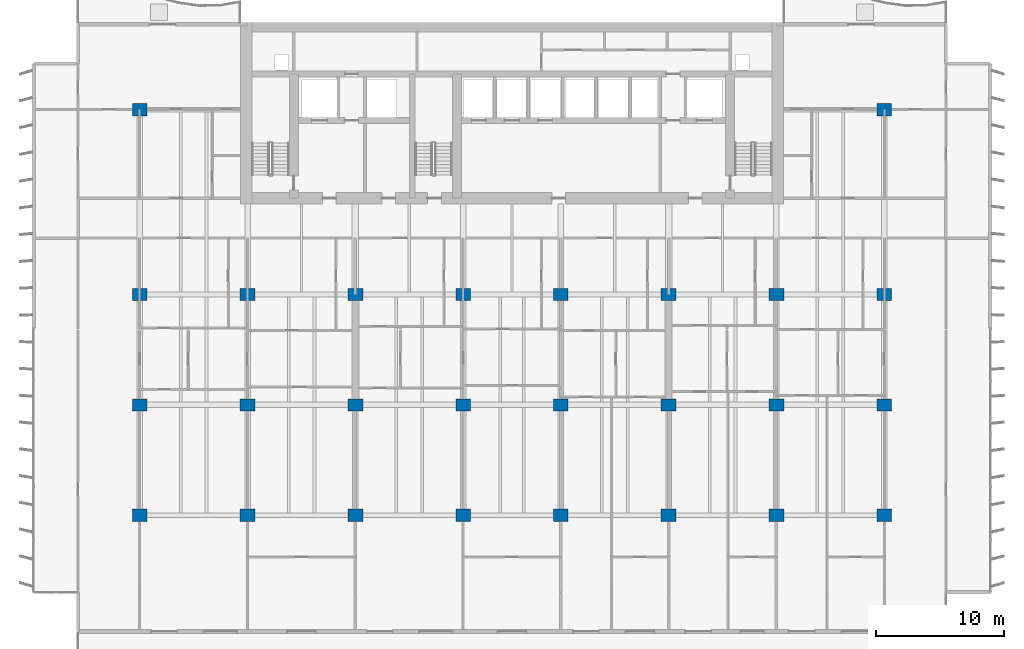
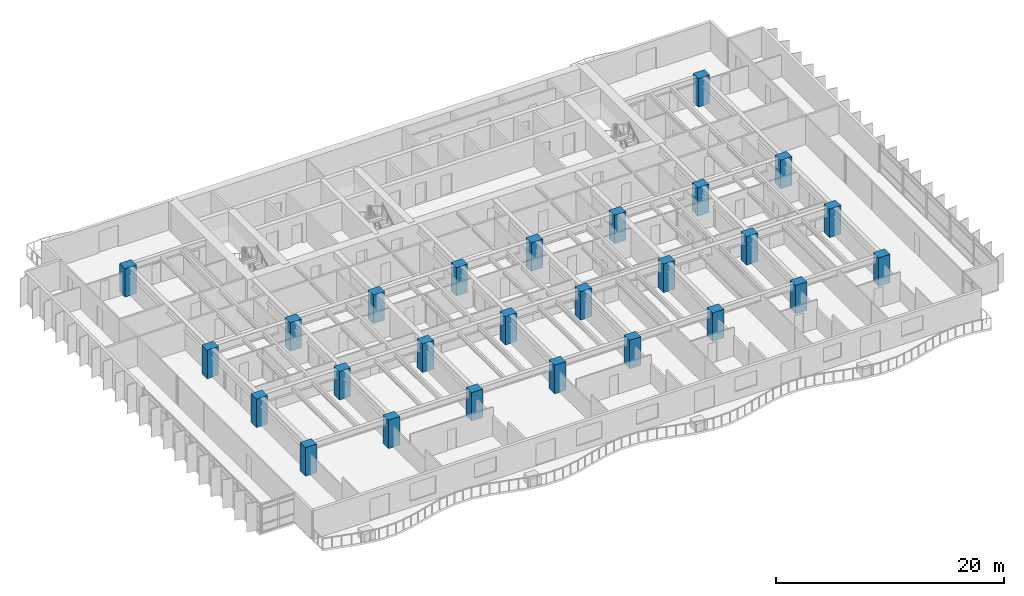
# One storey, part 1 of 17: 26 columns.
"""IFC4 building model written with IfcOpenShell, lengths in metres."""

from ifc_helpers import new_model, si_unit, direction, frame, origin, origin_2d, place, context, subcontext, project, spatial, rectangle, extrude, material, material_profile, profile_set, type_object, element, save


model = new_model("IFC4")

# Units and contexts
model_context = context("Model", 3, precision=1e-05, world=origin(), true_north=direction((0.0, 1.0)))
body_context = subcontext(model_context, "Body", "Model", "MODEL_VIEW")
ifc_project = project(units=[si_unit("LENGTHUNIT", "METRE"), si_unit("AREAUNIT", "SQUARE_METRE"), si_unit("VOLUMEUNIT", "CUBIC_METRE"), si_unit("PLANEANGLEUNIT", "RADIAN"), si_unit("MASSUNIT", "GRAM", prefix="KILO")], contexts=[model_context])

# Site, building, storey
site_placement = place(None, origin())
site = spatial("IfcSite", under=ifc_project, at=site_placement, CompositionType="ELEMENT")
building_placement = place(site_placement, origin())
building = spatial("IfcBuilding", under=site, at=building_placement, Name="Caelmar Bay Residences", CompositionType="ELEMENT")
storey_placement = place(building_placement, frame((0.0, 0.0, 59.699951171875)))
storey = spatial("IfcBuildingStorey", under=building, at=storey_placement, Name="L15", CompositionType="ELEMENT", Elevation=59.699951171875)

# Columns
ifc_material = material(Name="Concrete f'c 70 MPa (10,000 psi)", Category="concrete")
ifc_material_profile = material_profile(ifc_material, rectangle(XDim=1.14990234375, YDim=0.949951171875, at=origin_2d()), Name="RC-COL-1150X950")
ifc_profile_set = profile_set([ifc_material_profile], Name="Concrete f'c 70 MPa (10,000 psi)")
column_type = type_object("IfcColumnType", Name="COL-RC-1150X950", PredefinedType="COLUMN", material=ifc_profile_set)
for number, where, z_axis, x_axis, name in (
    (1, (9.89990234375, 12.199951171875, 0.0), (0.0, 0.0, 1.0), (1.0, 0.0, 0.0), "L15 Column (9.90,12.20)"),
    (2, (18.300048828125, 12.199951171875, 0.0), (0.0, 0.0, 1.0), (1.0, 0.0, 0.0), "L15 Column (18.30,12.20)"),
    (3, (26.699951171875, 12.199951171875, 0.0), (0.0, 0.0, 1.0), (1.0, 0.0, 0.0), "L15 Column (26.70,12.20)"),
    (4, (35.10009765625, 12.199951171875, 0.0), (0.0, 0.0, 1.0), (1.0, 0.0, 0.0), "L15 Column (35.10,12.20)"),
    (5, (42.699951171875, 12.199951171875, 0.0), (0.0, 0.0, 1.0), (1.0, 0.0, 0.0), "L15 Column (42.70,12.20)"),
    (6, (51.10009765625, 12.199951171875, 0.0), (0.0, 0.0, 1.0), (1.0, 0.0, 0.0), "L15 Column (51.10,12.20)"),
    (7, (59.5, 12.199951171875, 0.0), (0.0, 0.0, 1.0), (1.0, 0.0, 0.0), "L15 Column (59.50,12.20)"),
    (8, (67.89990234375, 12.199951171875, 0.0), (0.0, 0.0, 1.0), (1.0, 0.0, 0.0), "L15 Column (67.90,12.20)"),
    (9, (9.89990234375, 20.800048828125, 0.0), (0.0, 0.0, 1.0), (1.0, 0.0, 0.0), "L15 Column (9.90,20.80)"),
    (10, (18.300048828125, 20.800048828125, 0.0), (0.0, 0.0, 1.0), (1.0, 0.0, 0.0), "L15 Column (18.30,20.80)"),
    (11, (26.699951171875, 20.800048828125, 0.0), (0.0, 0.0, 1.0), (1.0, 0.0, 0.0), "L15 Column (26.70,20.80)"),
    (12, (35.10009765625, 20.800048828125, 0.0), (0.0, 0.0, 1.0), (1.0, 0.0, 0.0), "L15 Column (35.10,20.80)"),
    (13, (42.699951171875, 20.800048828125, 0.0), (0.0, 0.0, 1.0), (1.0, 0.0, 0.0), "L15 Column (42.70,20.80)"),
    (14, (51.10009765625, 20.800048828125, 0.0), (0.0, 0.0, 1.0), (1.0, 0.0, 0.0), "L15 Column (51.10,20.80)"),
    (15, (59.5, 20.800048828125, 0.0), (0.0, 0.0, 1.0), (1.0, 0.0, 0.0), "L15 Column (59.50,20.80)"),
    (16, (67.89990234375, 20.800048828125, 0.0), (0.0, 0.0, 1.0), (1.0, 0.0, 0.0), "L15 Column (67.90,20.80)"),
    (17, (9.89990234375, 29.39990234375, 0.0), (0.0, 0.0, 1.0), (1.0, 0.0, 0.0), "L15 Column (9.90,29.40)"),
    (18, (18.300048828125, 29.39990234375, 0.0), (0.0, 0.0, 1.0), (1.0, 0.0, 0.0), "L15 Column (18.30,29.40)"),
    (19, (26.699951171875, 29.39990234375, 0.0), (0.0, 0.0, 1.0), (1.0, 0.0, 0.0), "L15 Column (26.70,29.40)"),
    (20, (35.10009765625, 29.39990234375, 0.0), (0.0, 0.0, 1.0), (1.0, 0.0, 0.0), "L15 Column (35.10,29.40)"),
    (21, (42.699951171875, 29.39990234375, 0.0), (0.0, 0.0, 1.0), (1.0, 0.0, 0.0), "L15 Column (42.70,29.40)"),
    (22, (51.10009765625, 29.39990234375, 0.0), (0.0, 0.0, 1.0), (1.0, 0.0, 0.0), "L15 Column (51.10,29.40)"),
    (23, (59.5, 29.39990234375, 0.0), (0.0, 0.0, 1.0), (1.0, 0.0, 0.0), "L15 Column (59.50,29.40)"),
    (24, (67.89990234375, 29.39990234375, 0.0), (0.0, 0.0, 1.0), (1.0, 0.0, 0.0), "L15 Column (67.90,29.40)"),
    (25, (9.89990234375, 43.800048828125, 0.0), (0.0, 0.0, 1.0), (1.0, 0.0, 0.0), "L15 Column (9.90,43.80)"),
    (26, (67.89990234375, 43.800048828125, 0.0), (0.0, 0.0, 1.0), (1.0, 0.0, 0.0), "L15 Column (67.90,43.80)"),
):
    element("IfcColumn", number, at=place(storey_placement, frame(where, z_axis=z_axis, x_axis=x_axis)), inside=storey, type_object=column_type, Name=name, PredefinedType="COLUMN", context=body_context, shape_type="SweptSolid", body=[
        extrude(rectangle(XDim=1.14990234375, YDim=0.949951171875, at=origin_2d()), origin(), (0.0, 0.0, 1.0), 3.050048828125),
    ])

save(model, "model.ifc")
